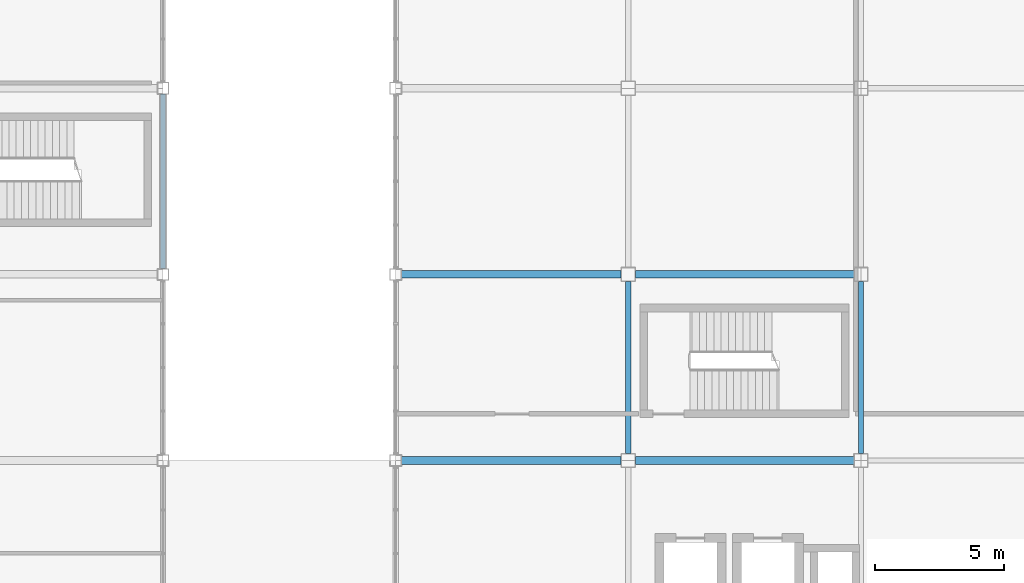
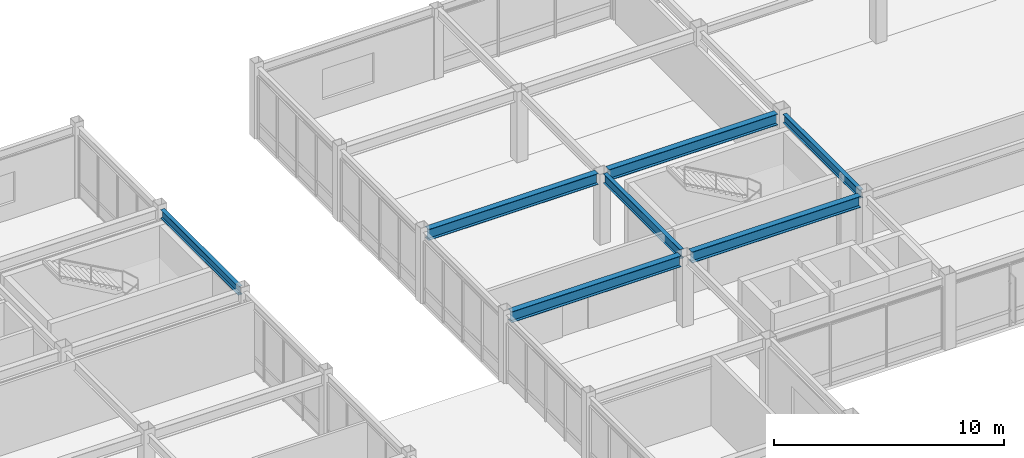
# One storey, part 60 of 113: 7 beams.
"""IFC4 building model written with IfcOpenShell, lengths in metres."""

from ifc_helpers import new_model, si_unit, direction, frame, origin, origin_2d, place, context, subcontext, project, spatial, i_section, extrude, material, material_profile, profile_set, type_object, element, save


model = new_model("IFC4")

# Units and contexts
model_context = context("Model", 3, precision=1e-05, world=origin(), true_north=direction((0.0, 1.0)))
body_context = subcontext(model_context, "Body", "Model", "MODEL_VIEW")
ifc_project = project(units=[si_unit("LENGTHUNIT", "METRE"), si_unit("AREAUNIT", "SQUARE_METRE"), si_unit("VOLUMEUNIT", "CUBIC_METRE"), si_unit("PLANEANGLEUNIT", "RADIAN"), si_unit("MASSUNIT", "GRAM", prefix="KILO")], contexts=[model_context])

# Site, building, storey
site_placement = place(None, origin())
site = spatial("IfcSite", under=ifc_project, at=site_placement, CompositionType="ELEMENT")
building_placement = place(site_placement, origin())
building = spatial("IfcBuilding", under=site, at=building_placement, Name="Kazanami Central Library", CompositionType="ELEMENT")
storey_placement = place(building_placement, frame((0.0, 0.0, 8.800048828125)))
storey = spatial("IfcBuildingStorey", under=building, at=storey_placement, Name="L03", CompositionType="ELEMENT", Elevation=8.800048828125)

# Beams
ifc_material = material(Name="Steel SN490B (325 MPa)", Category="steel")
ifc_material_profile_1 = material_profile(ifc_material, i_section(OverallWidth=0.300048828125, OverallDepth=0.587890625, WebThickness=0.011962890625, FlangeThickness=0.02001953125, at=origin_2d()), Name="H-588x300x12x20")
ifc_profile_set_1 = profile_set([ifc_material_profile_1], Name="Steel SN490B (325 MPa)")
beam_type_1 = type_object("IfcBeamType", Name="BM-G-X2", PredefinedType="BEAM", material=ifc_profile_set_1)
beam_1_placement = place(storey_placement, frame((45.222900390625, 72.0, 3.450927734375), z_axis=(1.0, 0.0, 0.0), x_axis=(0.0, 1.0, 0.0)))
element("IfcBeam", 1, at=beam_1_placement, inside=storey, type_object=beam_type_1, Name="Girder G-X2 L03 L/6-7", PredefinedType="BEAM", context=body_context, shape_type="SweptSolid", body=[
    extrude(i_section(OverallWidth=0.300048828125, OverallDepth=0.587890625, WebThickness=0.011962890625, FlangeThickness=0.02001953125, at=origin_2d()), origin(), (0.0, 0.0, 1.0), 8.504150390625),
])
beam_2_placement = place(storey_placement, frame((54.27294921875, 72.0, 3.450927734375), z_axis=(1.0, 0.0, 0.0), x_axis=(0.0, 1.0, 0.0)))
element("IfcBeam", 2, at=beam_2_placement, inside=storey, type_object=beam_type_1, Name="Girder G-X2 L03 L/7-8", PredefinedType="BEAM", context=body_context, shape_type="SweptSolid", body=[
    extrude(i_section(OverallWidth=0.300048828125, OverallDepth=0.587890625, WebThickness=0.011962890625, FlangeThickness=0.02001953125, at=origin_2d()), origin(), (0.0, 0.0, 1.0), 8.4541015625),
])
beam_3_placement = place(storey_placement, frame((45.222900390625, 79.199951171875, 3.450927734375), z_axis=(1.0, 0.0, 0.0), x_axis=(0.0, 1.0, 0.0)))
element("IfcBeam", 3, at=beam_3_placement, inside=storey, type_object=beam_type_1, Name="Girder G-X2 L03 M/6-7", PredefinedType="BEAM", context=body_context, shape_type="SweptSolid", body=[
    extrude(i_section(OverallWidth=0.300048828125, OverallDepth=0.587890625, WebThickness=0.011962890625, FlangeThickness=0.02001953125, at=origin_2d()), origin(), (0.0, 0.0, 1.0), 8.504150390625),
])
beam_4_placement = place(storey_placement, frame((54.27294921875, 79.199951171875, 3.450927734375), z_axis=(1.0, 0.0, 0.0), x_axis=(0.0, 1.0, 0.0)))
element("IfcBeam", 4, at=beam_4_placement, inside=storey, type_object=beam_type_1, Name="Girder G-X2 L03 M/7-8", PredefinedType="BEAM", context=body_context, shape_type="SweptSolid", body=[
    extrude(i_section(OverallWidth=0.300048828125, OverallDepth=0.587890625, WebThickness=0.011962890625, FlangeThickness=0.02001953125, at=origin_2d()), origin(), (0.0, 0.0, 1.0), 8.4541015625),
])
ifc_material_profile_2 = material_profile(ifc_material, i_section(OverallWidth=0.199951171875, OverallDepth=0.5, WebThickness=0.010009765625, FlangeThickness=0.01611328125, at=origin_2d()), Name="H-500x200x10x16")
ifc_profile_set_2 = profile_set([ifc_material_profile_2], Name="Steel SN490B (325 MPa)")
beam_type_2 = type_object("IfcBeamType", Name="BM-G-Y2", PredefinedType="BEAM", material=ifc_profile_set_2)
beam_5_placement = place(storey_placement, frame((54.0, 72.27294921875, 3.494873046875), z_axis=(0.0, 1.0, 0.0), x_axis=(-1.0, 0.0, 0.0)))
element("IfcBeam", 5, at=beam_5_placement, inside=storey, type_object=beam_type_2, Name="Girder G-Y2 L03 7/L-M", PredefinedType="BEAM", context=body_context, shape_type="SweptSolid", body=[
    extrude(i_section(OverallWidth=0.199951171875, OverallDepth=0.5, WebThickness=0.010009765625, FlangeThickness=0.01611328125, at=origin_2d()), origin(), (0.0, 0.0, 1.0), 6.654052734375),
])
ifc_material_profile_3 = material_profile(ifc_material, i_section(OverallWidth=0.199951171875, OverallDepth=0.449951171875, WebThickness=0.009033203125, FlangeThickness=0.013916015625, at=origin_2d()), Name="H-450x200x9x14")
ifc_profile_set_3 = profile_set([ifc_material_profile_3], Name="Steel SN490B (325 MPa)")
beam_type_3 = type_object("IfcBeamType", Name="BM-SP-2", PredefinedType="SPANDREL", material=ifc_profile_set_3)
beam_6_placement = place(storey_placement, frame((36.0, 79.423095703125, 3.52001953125), z_axis=(0.0, 1.0, 0.0), x_axis=(-1.0, 0.0, 0.0)))
element("IfcBeam", 6, at=beam_6_placement, inside=storey, type_object=beam_type_3, Name="Girder SP-2 L03 5/M-N", PredefinedType="SPANDREL", context=body_context, shape_type="SweptSolid", body=[
    extrude(i_section(OverallWidth=0.199951171875, OverallDepth=0.449951171875, WebThickness=0.009033203125, FlangeThickness=0.013916015625, at=origin_2d()), origin(), (0.0, 0.0, 1.0), 6.75390625),
])
beam_7_placement = place(storey_placement, frame((63.0, 72.27294921875, 3.52001953125), z_axis=(0.0, 1.0, 0.0), x_axis=(-1.0, 0.0, 0.0)))
element("IfcBeam", 7, at=beam_7_placement, inside=storey, type_object=beam_type_3, Name="Girder SP-2 L03 8/L-M", PredefinedType="SPANDREL", context=body_context, shape_type="SweptSolid", body=[
    extrude(i_section(OverallWidth=0.199951171875, OverallDepth=0.449951171875, WebThickness=0.009033203125, FlangeThickness=0.013916015625, at=origin_2d()), origin(), (0.0, 0.0, 1.0), 6.654052734375),
])

save(model, "model.ifc")
